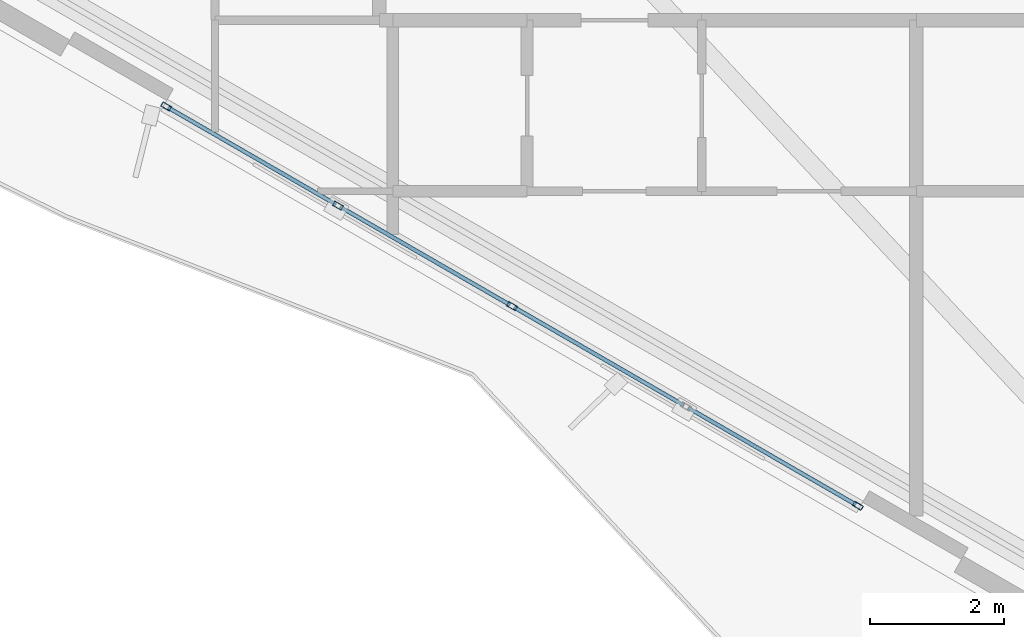
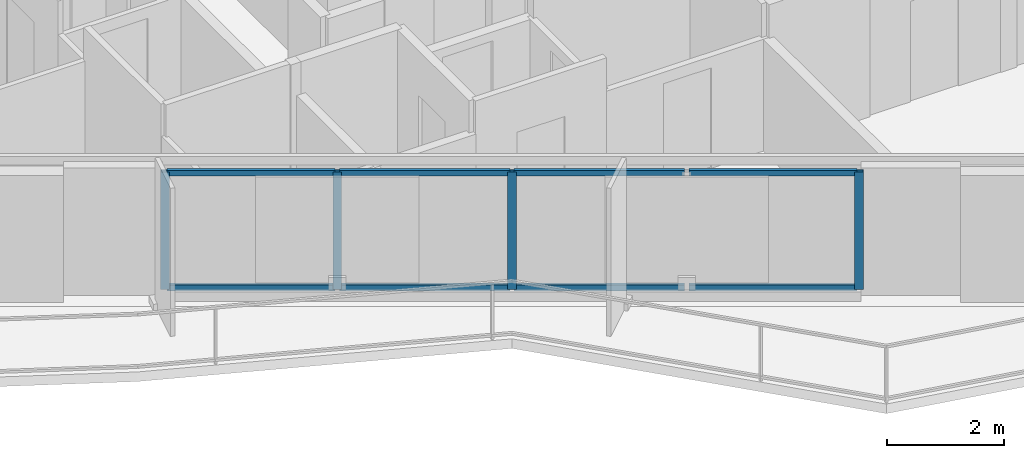
# One storey, part 2 of 18: 12 members, 1 element without a shape of its own.
"""IFC4 building model written with IfcOpenShell, lengths in metres."""

from ifc_helpers import new_model, si_unit, direction, frame, origin, origin_2d, place, context, subcontext, project, spatial, hollow_rectangle, extrude, material, layer, layer_set, material_profile, profile_set, type_object, element, aggregate, save


model = new_model("IFC4")

# Units and contexts
model_context = context("Model", 3, precision=1e-05, world=origin(), true_north=direction((0.0, 1.0)))
body_context = subcontext(model_context, "Body", "Model", "MODEL_VIEW")
ifc_project = project(units=[si_unit("LENGTHUNIT", "METRE"), si_unit("AREAUNIT", "SQUARE_METRE"), si_unit("VOLUMEUNIT", "CUBIC_METRE"), si_unit("PLANEANGLEUNIT", "RADIAN"), si_unit("MASSUNIT", "GRAM", prefix="KILO")], contexts=[model_context])

# Site, building, storey
site_placement = place(None, origin())
site = spatial("IfcSite", under=ifc_project, at=site_placement, CompositionType="ELEMENT")
building_placement = place(site_placement, origin())
building = spatial("IfcBuilding", under=site, at=building_placement, Name="Mersakhor Tower and Convention Hall", CompositionType="ELEMENT")
storey_placement = place(building_placement, frame((0.0, 0.0, 52.199951171875)))
storey = spatial("IfcBuildingStorey", under=building, at=storey_placement, Name="L14", CompositionType="ELEMENT", Elevation=52.199951171875)

# Curtain wall, members
ifc_material_1 = material(Name="Dark solar low-E aluminium curtain wall", Category="aluminium")
ifc_layer = layer(ifc_material_1, 0.159912109375)
ifc_layer_set = layer_set([ifc_layer], Name="Dark solar low-E aluminium curtain wall")
curtain_wall_type = type_object("IfcCurtainWallType", Name="CW-SYS-01", PredefinedType="USERDEFINED", material=ifc_layer_set)
curtain_wall_placement = place(storey_placement, origin())
curtain_wall = element("IfcCurtainWall", 1, at=curtain_wall_placement, inside=storey, type_object=curtain_wall_type, Name="L14 Dark-Glass Curtain Wall F3-B2", ObjectType="CURTAIN WALL", PredefinedType="USERDEFINED")
ifc_material_2 = material(Name="Anodised aluminium EN AW-6063 T6", Category="aluminium")
ifc_material_profile_1 = material_profile(ifc_material_2, hollow_rectangle(XDim=0.074951171875, YDim=0.14990234375, WallThickness=0.00634765625, at=origin_2d()), Name="RHS 150x75x6.3")
ifc_profile_set_1 = profile_set([ifc_material_profile_1], Name="Anodised aluminium EN AW-6063 T6")
member_type_1 = type_object("IfcMemberType", Name="CWM-150x75", PredefinedType="MULLION", material=ifc_profile_set_1)
member_1_placement = place(storey_placement, frame((26.72705078125, 10.9150390625, 0.199951171875), z_axis=(0.0, 0.0, 1.0), x_axis=(-0.50000344889, -0.866023412558, 0.0)))
member_1 = element("IfcMember", 2, at=member_1_placement, type_object=member_type_1, Name="CW-01 mullion 1", PredefinedType="MULLION", context=body_context, shape_type="SweptSolid", body=[
    extrude(hollow_rectangle(XDim=0.074951171875, YDim=0.14990234375, WallThickness=0.00634765625, at=origin_2d()), origin(), (0.0, 0.0, 1.0), 2.460205078125),
])
member_2_placement = place(storey_placement, frame((21.574951171875, 13.889404296875, 0.199951171875), z_axis=(0.0, 0.0, 1.0), x_axis=(-0.50000344889, -0.866023412558, 0.0)))
member_2 = element("IfcMember", 3, at=member_2_placement, type_object=member_type_1, Name="CW-01 mullion 3", PredefinedType="MULLION", context=body_context, shape_type="SweptSolid", body=[
    extrude(hollow_rectangle(XDim=0.074951171875, YDim=0.14990234375, WallThickness=0.00634765625, at=origin_2d()), origin(), (0.0, 0.0, 1.0), 2.460205078125),
])
member_3_placement = place(storey_placement, frame((18.982666015625, 15.38623046875, 0.199951171875), z_axis=(0.0, 0.0, 1.0), x_axis=(-0.50000344889, -0.866023412558, 0.0)))
member_3 = element("IfcMember", 4, at=member_3_placement, type_object=member_type_1, Name="CW-01 mullion 4", PredefinedType="MULLION", context=body_context, shape_type="SweptSolid", body=[
    extrude(hollow_rectangle(XDim=0.074951171875, YDim=0.14990234375, WallThickness=0.00634765625, at=origin_2d()), origin(), (0.0, 0.0, 1.0), 2.460205078125),
])
member_4_placement = place(storey_placement, frame((16.423095703125, 16.864013671875, 0.199951171875), z_axis=(0.0, 0.0, 1.0), x_axis=(-0.50000344889, -0.866023412558, 0.0)))
member_4 = element("IfcMember", 5, at=member_4_placement, type_object=member_type_1, Name="CW-01 mullion 5", PredefinedType="MULLION", context=body_context, shape_type="SweptSolid", body=[
    extrude(hollow_rectangle(XDim=0.074951171875, YDim=0.14990234375, WallThickness=0.00634765625, at=origin_2d()), origin(), (0.0, 0.0, 1.0), 2.460205078125),
])
ifc_material_3 = material(Name="Anodised aluminium EN AW-6063 T6", Category="aluminium")
ifc_material_profile_2 = material_profile(ifc_material_3, hollow_rectangle(XDim=0.06005859375, YDim=0.1201171875, WallThickness=0.0048828125, at=origin_2d()), Name="RHS 120x60x5")
ifc_profile_set_2 = profile_set([ifc_material_profile_2], Name="Anodised aluminium EN AW-6063 T6")
member_type_2 = type_object("IfcMemberType", Name="CWT-120x60", PredefinedType="USERDEFINED", material=ifc_profile_set_2)
member_5_placement = place(storey_placement, frame((26.694580078125, 10.93359375, 0.22998046875), z_axis=(-0.866023290103, 0.500003660985, 0.0), x_axis=(-0.500003660985, -0.866023290103, 0.0)))
member_5 = element("IfcMember", 6, at=member_5_placement, type_object=member_type_2, Name="CW-01 transom 1.1", ObjectType="TRANSOM", PredefinedType="USERDEFINED", context=body_context, shape_type="SweptSolid", body=[
    extrude(hollow_rectangle(XDim=0.06005859375, YDim=0.1201171875, WallThickness=0.0048828125, at=origin_2d()), origin(), (0.0, 0.0, 1.0), 2.880859375),
])
member_6_placement = place(storey_placement, frame((26.694580078125, 10.93359375, 2.630126953125), z_axis=(-0.866023290103, 0.500003660985, 0.0), x_axis=(-0.500003660985, -0.866023290103, 0.0)))
member_6 = element("IfcMember", 7, at=member_6_placement, type_object=member_type_2, Name="CW-01 transom 1.2", ObjectType="TRANSOM", PredefinedType="USERDEFINED", context=body_context, shape_type="SweptSolid", body=[
    extrude(hollow_rectangle(XDim=0.06005859375, YDim=0.1201171875, WallThickness=0.0048828125, at=origin_2d()), origin(), (0.0, 0.0, 1.0), 2.880859375),
])
member_7_placement = place(storey_placement, frame((24.134765625, 12.41162109375, 0.22998046875), z_axis=(-0.866015622527, 0.500016941252, 0.0), x_axis=(-0.500016941252, -0.866015622527, 0.0)))
member_7 = element("IfcMember", 8, at=member_7_placement, type_object=member_type_2, Name="CW-01 transom 2.1", ObjectType="TRANSOM", PredefinedType="USERDEFINED", context=body_context, shape_type="SweptSolid", body=[
    extrude(hollow_rectangle(XDim=0.06005859375, YDim=0.1201171875, WallThickness=0.0048828125, at=origin_2d()), origin(), (0.0, 0.0, 1.0), 2.91845703125),
])
member_8_placement = place(storey_placement, frame((24.134765625, 12.41162109375, 2.630126953125), z_axis=(-0.866015622527, 0.500016941252, 0.0), x_axis=(-0.500016941252, -0.866015622527, 0.0)))
member_8 = element("IfcMember", 9, at=member_8_placement, type_object=member_type_2, Name="CW-01 transom 2.2", ObjectType="TRANSOM", PredefinedType="USERDEFINED", context=body_context, shape_type="SweptSolid", body=[
    extrude(hollow_rectangle(XDim=0.06005859375, YDim=0.1201171875, WallThickness=0.0048828125, at=origin_2d()), origin(), (0.0, 0.0, 1.0), 2.91845703125),
])
member_9_placement = place(storey_placement, frame((21.54248046875, 13.908203125, 0.22998046875), z_axis=(-0.866015622527, 0.500016941252, 0.0), x_axis=(-0.500016941252, -0.866015622527, 0.0)))
member_9 = element("IfcMember", 10, at=member_9_placement, type_object=member_type_2, Name="CW-01 transom 3.1", ObjectType="TRANSOM", PredefinedType="USERDEFINED", context=body_context, shape_type="SweptSolid", body=[
    extrude(hollow_rectangle(XDim=0.06005859375, YDim=0.1201171875, WallThickness=0.0048828125, at=origin_2d()), origin(), (0.0, 0.0, 1.0), 2.91845703125),
])
member_10_placement = place(storey_placement, frame((21.54248046875, 13.908203125, 2.630126953125), z_axis=(-0.866015622527, 0.500016941252, 0.0), x_axis=(-0.500016941252, -0.866015622527, 0.0)))
member_10 = element("IfcMember", 11, at=member_10_placement, type_object=member_type_2, Name="CW-01 transom 3.2", ObjectType="TRANSOM", PredefinedType="USERDEFINED", context=body_context, shape_type="SweptSolid", body=[
    extrude(hollow_rectangle(XDim=0.06005859375, YDim=0.1201171875, WallThickness=0.0048828125, at=origin_2d()), origin(), (0.0, 0.0, 1.0), 2.91845703125),
])
member_11_placement = place(storey_placement, frame((18.9501953125, 15.40478515625, 0.22998046875), z_axis=(-0.866002100865, 0.500040359669, 0.0), x_axis=(-0.500040359669, -0.866002100865, 0.0)))
member_11 = element("IfcMember", 12, at=member_11_placement, type_object=member_type_2, Name="CW-01 transom 4.1", ObjectType="TRANSOM", PredefinedType="USERDEFINED", context=body_context, shape_type="SweptSolid", body=[
    extrude(hollow_rectangle(XDim=0.06005859375, YDim=0.1201171875, WallThickness=0.0048828125, at=origin_2d()), origin(), (0.0, 0.0, 1.0), 2.880615234375),
])
member_12_placement = place(storey_placement, frame((18.9501953125, 15.40478515625, 2.630126953125), z_axis=(-0.866002100865, 0.500040359669, 0.0), x_axis=(-0.500040359669, -0.866002100865, 0.0)))
member_12 = element("IfcMember", 13, at=member_12_placement, type_object=member_type_2, Name="CW-01 transom 4.2", ObjectType="TRANSOM", PredefinedType="USERDEFINED", context=body_context, shape_type="SweptSolid", body=[
    extrude(hollow_rectangle(XDim=0.06005859375, YDim=0.1201171875, WallThickness=0.0048828125, at=origin_2d()), origin(), (0.0, 0.0, 1.0), 2.880615234375),
])
aggregate(curtain_wall, [member_1, member_2, member_3, member_4, member_5, member_6, member_7, member_8, member_9, member_10, member_11, member_12])

save(model, "model.ifc")
